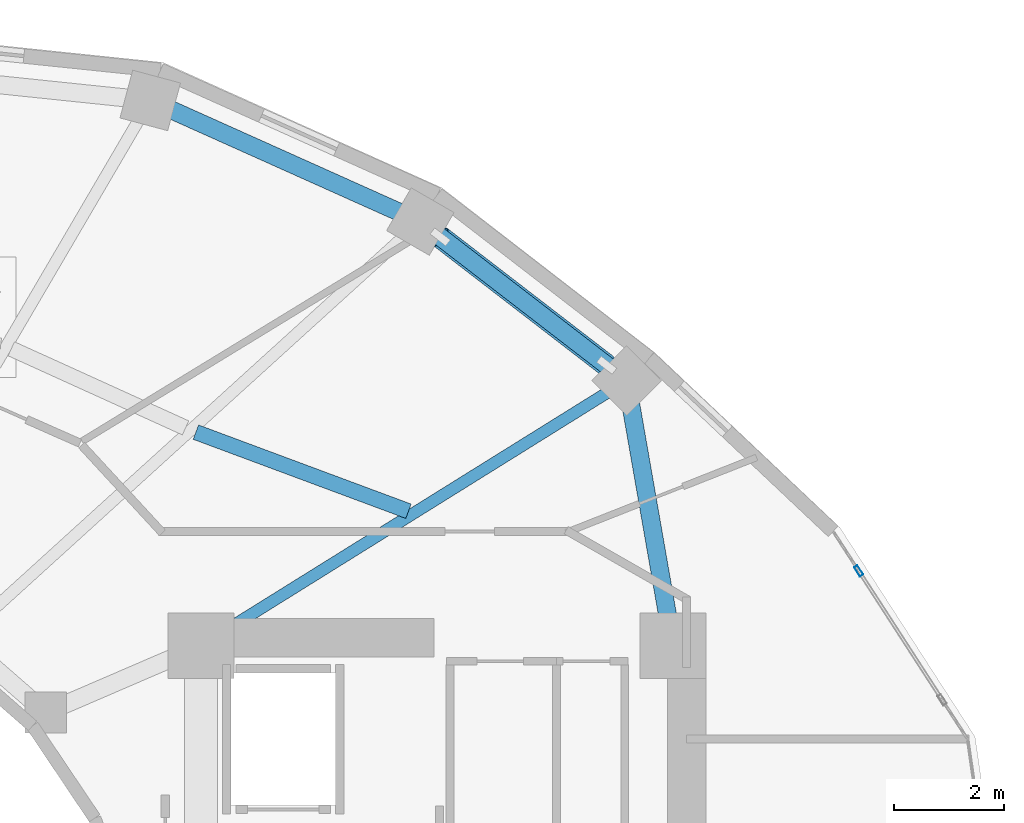
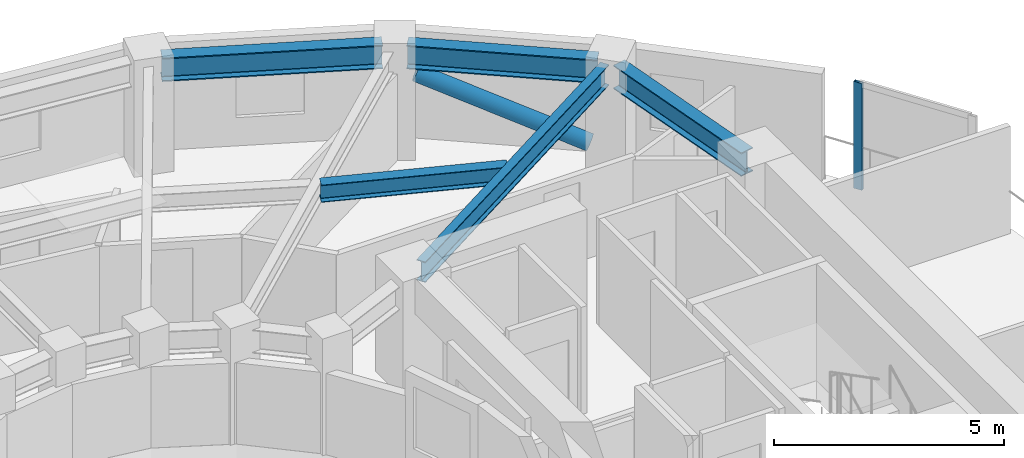
# One storey, part 4 of 13: 5 beams, 2 members, 1 element without a shape of its own.
"""IFC4 building model written with IfcOpenShell, lengths in metres."""

from ifc_helpers import new_model, si_unit, direction, frame, origin, origin_2d, place, context, subcontext, project, spatial, hollow_rectangle, hollow_circle, i_section, extrude, material, layer, layer_set, material_profile, profile_set, type_object, element, aggregate, save


model = new_model("IFC4")

# Units and contexts
model_context = context("Model", 3, precision=1e-05, world=origin(), true_north=direction((0.0, 1.0)))
body_context = subcontext(model_context, "Body", "Model", "MODEL_VIEW")
ifc_project = project(units=[si_unit("LENGTHUNIT", "METRE"), si_unit("AREAUNIT", "SQUARE_METRE"), si_unit("VOLUMEUNIT", "CUBIC_METRE"), si_unit("PLANEANGLEUNIT", "RADIAN"), si_unit("MASSUNIT", "GRAM", prefix="KILO")], contexts=[model_context])

# Site, building, storey
site_placement = place(None, origin())
site = spatial("IfcSite", under=ifc_project, at=site_placement, CompositionType="ELEMENT")
building_placement = place(site_placement, origin())
building = spatial("IfcBuilding", under=site, at=building_placement, Name="Solvane Sanctuary Tower", CompositionType="ELEMENT")
storey_placement = place(building_placement, frame((0.0, 0.0, 152.89990234375)))
storey = spatial("IfcBuildingStorey", under=building, at=storey_placement, Name="L46", CompositionType="ELEMENT", Elevation=152.89990234375)

# Beams
ifc_material_1 = material(Name="Steel ASTM A992 Grade 50", Category="steel")
ifc_material_profile_1 = material_profile(ifc_material_1, i_section(OverallWidth=0.214111328125, OverallDepth=0.549072265625, WebThickness=0.0146484375, FlangeThickness=0.023681640625, FilletRadius=0.014892578125, at=origin_2d()), Name="W21X93")
ifc_profile_set_1 = profile_set([ifc_material_profile_1], Name="Steel ASTM A992 Grade 50")
beam_type_1 = type_object("IfcBeamType", Name="Beam B-RAD-Z3 W21X93", PredefinedType="JOIST", material=ifc_profile_set_1)
beam_1_placement = place(storey_placement, frame((40.405517578125, 30.390380859375, 2.603515625), z_axis=(0.84882685523, 0.528670946658, 0.0), x_axis=(-0.528670946658, 0.84882685523, 0.0)))
element("IfcBeam", 1, at=beam_1_placement, inside=storey, type_object=beam_type_1, Name="L46 Radial Composite Floor Beam 01", PredefinedType="JOIST", context=body_context, shape_type="SweptSolid", body=[
    extrude(i_section(OverallWidth=0.214111328125, OverallDepth=0.549072265625, WebThickness=0.0146484375, FlangeThickness=0.023681640625, FilletRadius=0.014892578125, at=origin_2d()), origin(), (0.0, 0.0, 1.0), 8.498046875),
])
ifc_material_profile_2 = material_profile(ifc_material_1, i_section(OverallWidth=0.280029296875, OverallDepth=0.462890625, WebThickness=0.0107421875, FlangeThickness=0.017333984375, FilletRadius=0.013916015625, at=origin_2d()), Name="W18X76")
ifc_profile_set_2 = profile_set([ifc_material_profile_2], Name="Steel ASTM A992 Grade 50")
beam_type_2 = type_object("IfcBeamType", Name="Beam B-SEC-JOIST W18X76", PredefinedType="JOIST", material=ifc_profile_set_2)
beam_2_placement = place(storey_placement, frame((40.009765625, 34.091796875, 2.646484375), z_axis=(0.937258220662, -0.34863595311, 0.0), x_axis=(0.34863595311, 0.937258220662, 0.0)))
element("IfcBeam", 2, at=beam_2_placement, inside=storey, type_object=beam_type_2, Name="L46 Secondary Circumferential Joist 02-01", PredefinedType="JOIST", context=body_context, shape_type="SweptSolid", body=[
    extrude(i_section(OverallWidth=0.280029296875, OverallDepth=0.462890625, WebThickness=0.0107421875, FlangeThickness=0.017333984375, FilletRadius=0.013916015625, at=origin_2d()), origin(), (0.0, 0.0, 1.0), 4.13232421875),
])
ifc_material_profile_3 = material_profile(ifc_material_1, i_section(OverallWidth=0.327880859375, OverallDepth=0.6279296875, WebThickness=0.0166015625, FlangeThickness=0.027587890625, FilletRadius=0.01611328125, at=origin_2d()), Name="W24X146")
ifc_profile_set_3 = profile_set([ifc_material_profile_3], Name="Steel ASTM A992 Grade 50")
beam_type_3 = type_object("IfcBeamType", Name="Beam B-SPAND-Z3 W24X146", PredefinedType="SPANDREL", material=ifc_profile_set_3)
beam_3_placement = place(storey_placement, frame((39.433837890625, 40.02001953125, 2.564208984375), z_axis=(0.912414349424, -0.409267705744, 0.0), x_axis=(0.409267705744, 0.912414349424, 0.0)))
element("IfcBeam", 3, at=beam_3_placement, inside=storey, type_object=beam_type_3, Name="L46 Perimeter Spandrel Beam TC03-TC02", PredefinedType="SPANDREL", context=body_context, shape_type="SweptSolid", body=[
    extrude(i_section(OverallWidth=0.327880859375, OverallDepth=0.6279296875, WebThickness=0.0166015625, FlangeThickness=0.027587890625, FilletRadius=0.01611328125, at=origin_2d()), origin(), (0.0, 0.0, 1.0), 4.831787109375),
])
beam_4_placement = place(storey_placement, frame((44.31982421875, 37.757080078125, 2.564208984375), z_axis=(0.792020773873, -0.610494139001, 0.0), x_axis=(0.610494139001, 0.792020773873, 0.0)))
element("IfcBeam", 4, at=beam_4_placement, inside=storey, type_object=beam_type_3, Name="L46 Perimeter Spandrel Beam TC02-TC01", PredefinedType="SPANDREL", context=body_context, shape_type="SweptSolid", body=[
    extrude(i_section(OverallWidth=0.327880859375, OverallDepth=0.6279296875, WebThickness=0.0166015625, FlangeThickness=0.027587890625, FilletRadius=0.01611328125, at=origin_2d()), origin(), (0.0, 0.0, 1.0), 4.185302734375),
])
beam_5_placement = place(storey_placement, frame((47.90478515625, 34.75537109375, 2.564208984375), z_axis=(0.171967263087, -0.985102664917, 0.0), x_axis=(0.985102664917, 0.171967263087, 0.0)))
element("IfcBeam", 5, at=beam_5_placement, inside=storey, type_object=beam_type_3, Name="L46 Perimeter Spandrel Beam TC01-CE3", PredefinedType="SPANDREL", context=body_context, shape_type="SweptSolid", body=[
    extrude(i_section(OverallWidth=0.327880859375, OverallDepth=0.6279296875, WebThickness=0.0166015625, FlangeThickness=0.027587890625, FilletRadius=0.01611328125, at=origin_2d()), origin(), (0.0, 0.0, 1.0), 4.34423828125),
])

# Curtain wall, member
ifc_material_2 = material(Name="Anodised Aluminium 6063-T6", Category="aluminium")
ifc_layer = layer(ifc_material_2, 0.2099609375, Name="Anodised Aluminium 6063-T6")
ifc_layer_set = layer_set([ifc_layer], Name="Anodised Aluminium 6063-T6")
curtain_wall_type = type_object("IfcCurtainWallType", Name="Curtain Wall CW-PORTAL", PredefinedType="NOTDEFINED", material=ifc_layer_set)
curtain_wall_placement = place(storey_placement, origin())
curtain_wall = element("IfcCurtainWall", 6, at=curtain_wall_placement, inside=storey, type_object=curtain_wall_type, Name="L46 CW-PORTAL Facade Run 01", PredefinedType="NOTDEFINED")
ifc_material_profile_4 = material_profile(ifc_material_2, hollow_rectangle(XDim=0.074951171875, YDim=0.199951171875, WallThickness=0.00390625, at=origin_2d()), Name="ALU200X75X4")
ifc_profile_set_4 = profile_set([ifc_material_profile_4], Name="Anodised Aluminium 6063-T6")
member_type_1 = type_object("IfcMemberType", Name="Member M-CW-MUL-1 ALU200X75X4", PredefinedType="MULLION", material=ifc_profile_set_4)
member_1_placement = place(storey_placement, frame((52.0849609375, 31.56396484375, 0.0), z_axis=(0.0, 0.0, 1.0), x_axis=(-0.839512220128, -0.543340806728, 0.0)))
member_1 = element("IfcMember", 7, at=member_1_placement, type_object=member_type_1, Name="CW-PORTAL mullion 2", PredefinedType="MULLION", context=body_context, shape_type="SweptSolid", body=[
    extrude(hollow_rectangle(XDim=0.074951171875, YDim=0.199951171875, WallThickness=0.00390625, at=origin_2d()), origin(), (0.0, 0.0, 1.0), 2.840087890625),
])
aggregate(curtain_wall, [member_1])

# Member
ifc_material_profile_5 = material_profile(ifc_material_1, hollow_circle(Radius=0.202880859375, WallThickness=0.012451171875, at=origin_2d()), Name="CHS406X12.5")
ifc_profile_set_5 = profile_set([ifc_material_profile_5], Name="Steel ASTM A992 Grade 50")
member_type_2 = type_object("IfcMemberType", Name="Member M-TUBE-Z3 CHS406X12.5", PredefinedType="BRACE", material=ifc_profile_set_5)
member_2_placement = place(storey_placement, frame((47.48974609375, 35.313720703125, 0.5625), z_axis=(-0.73686018058, 0.568005062922, 0.366616042707), x_axis=(-0.610513708364, -0.792005689311, 0.0)))
element("IfcMember", 8, at=member_2_placement, inside=storey, type_object=member_type_2, Name="L46 Perimeter Braced-Tube Diagonal NE", PredefinedType="BRACE", context=body_context, shape_type="SweptSolid", body=[
    extrude(hollow_circle(Radius=0.202880859375, WallThickness=0.012451171875, at=origin_2d()), origin(), (0.0, 0.0, 1.0), 4.104736328125),
])

save(model, "model.ifc")
